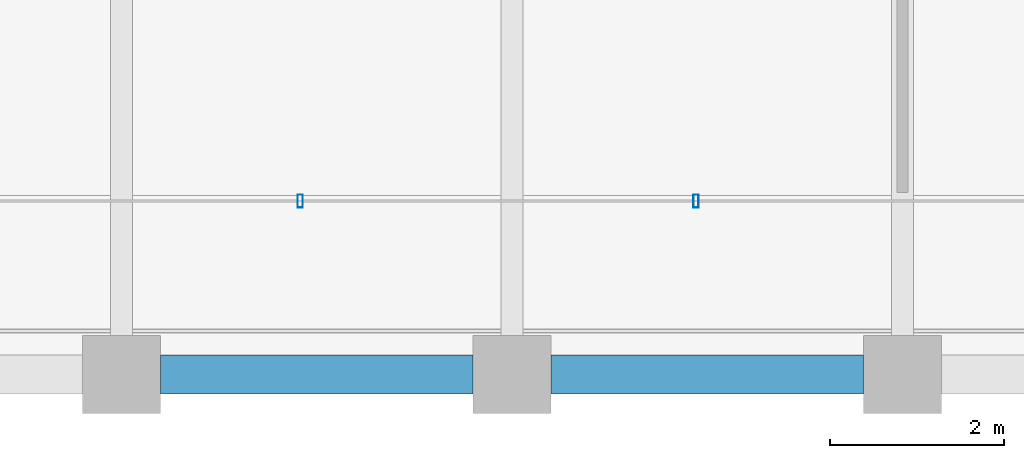
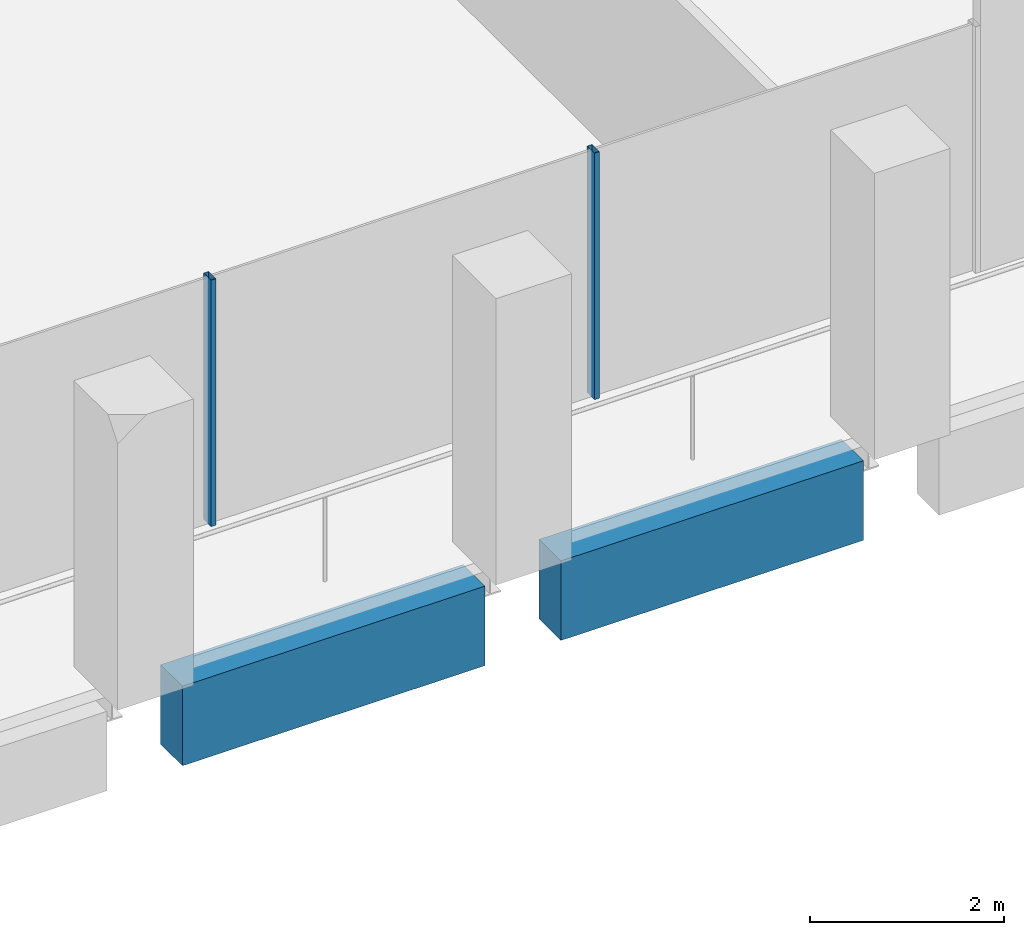
# One storey, part 3 of 40: 2 beams, 2 members, 1 element without a shape of its own.
"""IFC4 building model written with IfcOpenShell, lengths in metres."""

from ifc_helpers import new_model, si_unit, direction, frame, origin, origin_2d, place, context, subcontext, project, spatial, rectangle, hollow_rectangle, extrude, material, material_profile, profile_set, type_object, element, aggregate, save


model = new_model("IFC4")

# Units and contexts
model_context = context("Model", 3, precision=1e-05, world=origin(), true_north=direction((0.0, 1.0)))
body_context = subcontext(model_context, "Body", "Model", "MODEL_VIEW")
ifc_project = project(units=[si_unit("LENGTHUNIT", "METRE"), si_unit("AREAUNIT", "SQUARE_METRE"), si_unit("VOLUMEUNIT", "CUBIC_METRE"), si_unit("PLANEANGLEUNIT", "RADIAN"), si_unit("MASSUNIT", "GRAM", prefix="KILO")], contexts=[model_context])

# Site, building, storey
site_placement = place(None, origin())
site = spatial("IfcSite", under=ifc_project, at=site_placement, CompositionType="ELEMENT")
building_placement = place(site_placement, origin())
building = spatial("IfcBuilding", under=site, at=building_placement, Name="Altepetl Exchange Towers", CompositionType="ELEMENT")
storey_placement = place(building_placement, frame((0.0, 0.0, 165.39990234375)))
storey = spatial("IfcBuildingStorey", under=building, at=storey_placement, Name="L41", CompositionType="ELEMENT", Elevation=165.39990234375)

# Curtain wall, members
ifc_material_1 = material(Name="Aluminium 6063-T6 glazing", Category="aluminium")
curtain_wall_type = type_object("IfcCurtainWallType", Name="Loggia glazing system", PredefinedType="NOTDEFINED", material=ifc_material_1)
curtain_wall_placement = place(storey_placement, origin())
curtain_wall = element("IfcCurtainWall", 1, at=curtain_wall_placement, inside=storey, type_object=curtain_wall_type, Name="CW1 run", PredefinedType="NOTDEFINED")
ifc_material_2 = material(Name="Aluminium 6063-T6", Category="aluminium")
ifc_material_profile_1 = material_profile(ifc_material_2, hollow_rectangle(XDim=0.06005859375, YDim=0.14990234375, WallThickness=0.0029296875, at=origin_2d()), Name="Mullion 60x150 aluminium")
ifc_profile_set_1 = profile_set([ifc_material_profile_1], Name="Aluminium 6063-T6")
member_type = type_object("IfcMemberType", Name="Mullion 60x150 aluminium", PredefinedType="MULLION", material=ifc_profile_set_1)
member_1_placement = place(storey_placement, frame((38.060791015625, 29.0, 0.0)))
member_1 = element("IfcMember", 2, at=member_1_placement, type_object=member_type, Name="MU1 mullion", PredefinedType="MULLION", context=body_context, shape_type="SweptSolid", body=[
    extrude(hollow_rectangle(XDim=0.06005859375, YDim=0.14990234375, WallThickness=0.0029296875, at=origin_2d()), origin(), (0.0, 0.0, 1.0), 3.10009765625),
])
member_2_placement = place(storey_placement, frame((42.621337890625, 29.0, 0.0)))
member_2 = element("IfcMember", 3, at=member_2_placement, type_object=member_type, Name="MU1 mullion", PredefinedType="MULLION", context=body_context, shape_type="SweptSolid", body=[
    extrude(hollow_rectangle(XDim=0.06005859375, YDim=0.14990234375, WallThickness=0.0029296875, at=origin_2d()), origin(), (0.0, 0.0, 1.0), 3.10009765625),
])
aggregate(curtain_wall, [member_1, member_2])

# Beams
ifc_material_3 = material(Name="Concrete C50/60 precast with cantera blanca facing", Category="concrete")
ifc_material_profile_2 = material_profile(ifc_material_3, rectangle(XDim=0.449951171875, YDim=1.0, at=origin_2d()), Name="450 x 1000")
ifc_profile_set_2 = profile_set([ifc_material_profile_2], Name="Concrete C50/60 precast with cantera blanca facing")
beam_type = type_object("IfcBeamType", Name="Spandrel beam 450x1000 cantera blanca", PredefinedType="SPANDREL", material=ifc_profile_set_2)
for number, where, z_axis, x_axis, name in (
    (4, (36.449951171875, 27.0, -0.64990234375), (1.0, 0.0, 0.0), (0.0, 1.0, 0.0), "sp:A:L41:001"),
    (5, (40.949951171875, 27.0, -0.64990234375), (1.0, 0.0, 0.0), (0.0, 1.0, 0.0), "sp:A:L41:002"),
):
    element("IfcBeam", number, at=place(storey_placement, frame(where, z_axis=z_axis, x_axis=x_axis)), inside=storey, type_object=beam_type, Name=name, PredefinedType="SPANDREL", context=body_context, shape_type="SweptSolid", body=[
        extrude(rectangle(XDim=0.449951171875, YDim=1.0, at=origin_2d()), origin(), (0.0, 0.0, 1.0), 3.60009765625),
    ])

save(model, "model.ifc")
